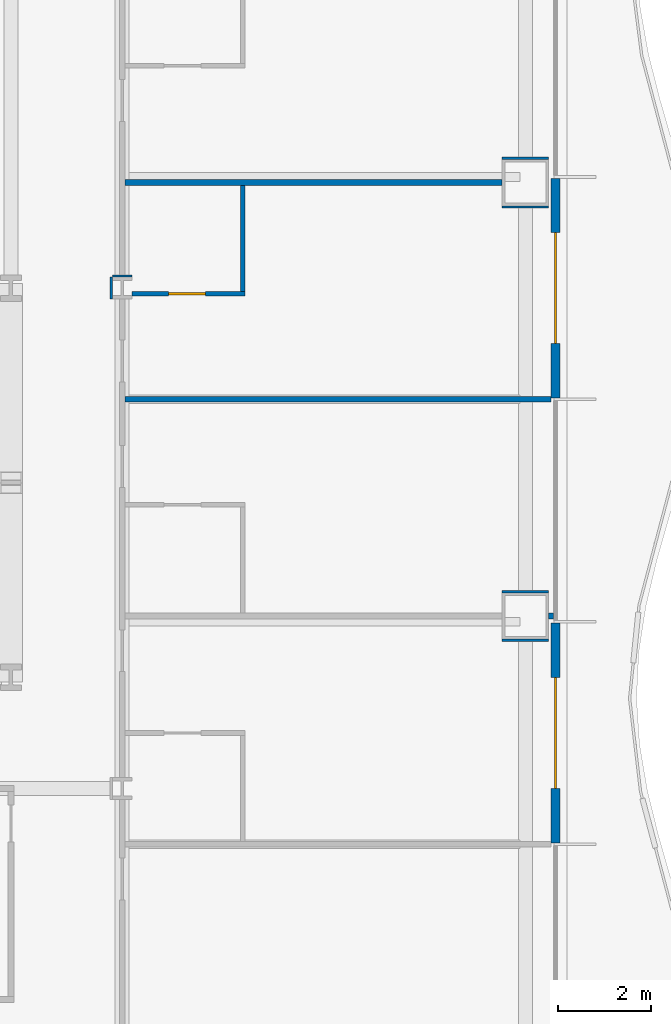
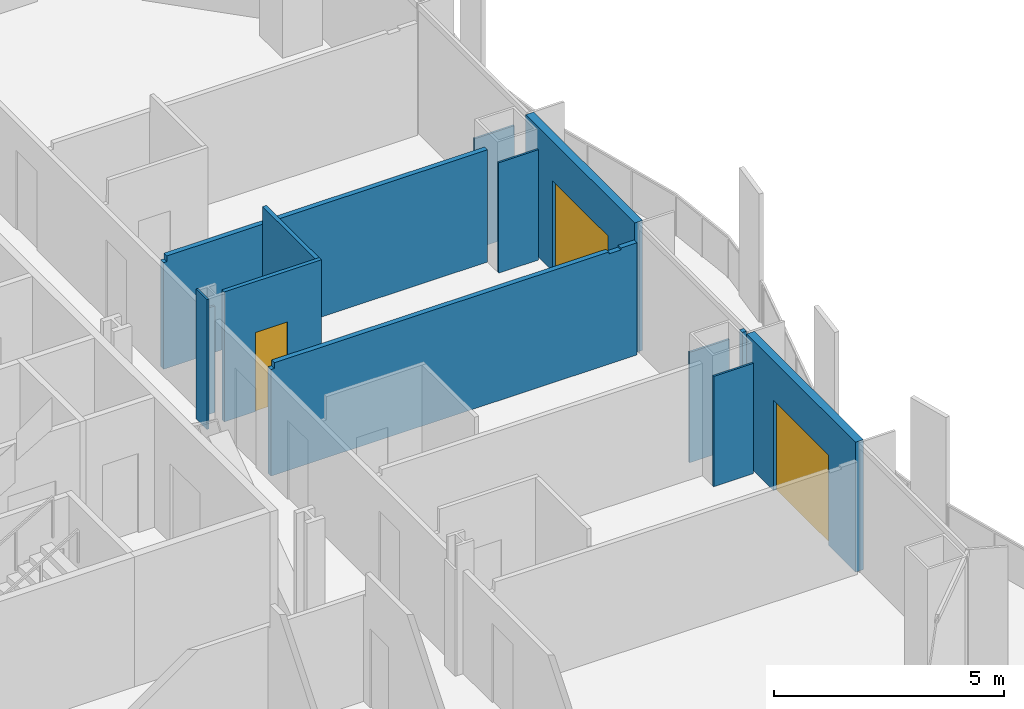
# One storey, part 11 of 21: 13 walls, 3 doors, 3 openings.
"""IFC4 building model written with IfcOpenShell, lengths in metres."""

from ifc_helpers import new_model, si_unit, direction, frame, frame_2d, origin, place, context, subcontext, project, spatial, polyline, rectangle, outline, extrude, material, layer, layer_set, type_object, element, fill, save


model = new_model("IFC4")

# Units and contexts
model_context = context("Model", 3, precision=1e-05, world=origin(), true_north=direction((0.0, 1.0)))
body_context = subcontext(model_context, "Body", "Model", "MODEL_VIEW")
ifc_project = project(units=[si_unit("LENGTHUNIT", "METRE"), si_unit("AREAUNIT", "SQUARE_METRE"), si_unit("VOLUMEUNIT", "CUBIC_METRE"), si_unit("PLANEANGLEUNIT", "RADIAN"), si_unit("MASSUNIT", "GRAM", prefix="KILO")], contexts=[model_context])

# Site, building, storey
site_placement = place(None, origin())
site = spatial("IfcSite", under=ifc_project, at=site_placement, CompositionType="ELEMENT")
building_placement = place(site_placement, origin())
building = spatial("IfcBuilding", under=site, at=building_placement, Name="Cairn Pilgrim Tower", CompositionType="ELEMENT")
storey_placement = place(building_placement, frame((0.0, 0.0, 43.800048828125)))
storey = spatial("IfcBuildingStorey", under=building, at=storey_placement, Name="L08", CompositionType="ELEMENT", Elevation=43.800048828125)

# Wall, opening, door
ifc_material_1 = material(Name="Bronze anodised aluminium insulated sandwich panel with mineral wool fill", Category="aluminium")
ifc_layer_1 = layer(ifc_material_1, 0.199951171875)
ifc_layer_set_1 = layer_set([ifc_layer_1], Name="BRONZE INFILL FRAME WALL 200")
wall_type_1 = type_object("IfcWallType", Name="BRONZE INFILL FRAME WALL 200", PredefinedType="NOTDEFINED", material=ifc_layer_set_1)
wall_1_placement = place(storey_placement, frame((28.550048828125, -9.570068359375, 0.0), z_axis=(0.0, 0.0, 1.0), x_axis=(0.0, 1.0, 0.0)))
wall_1 = element("IfcWall", 1, at=wall_1_placement, inside=storey, type_object=wall_type_1, Name="Bronze infill frame wall IW-E2", PredefinedType="NOTDEFINED", context=body_context, shape_type="SweptSolid", body=[
    extrude(rectangle(XDim=4.739990234375, YDim=0.199951171875, at=frame_2d((2.3701171875, 0.0))), origin(), (0.0, 0.0, 1.0), 3.449951171875),
])
opening_1_placement = place(wall_1_placement, frame((1.169921875, 0.0, 0.0)))
opening_1 = element("IfcOpeningElement", 2, at=opening_1_placement, cuts=wall_1, Name="Opening 0822B", PredefinedType="OPENING", context=body_context, shape_type="SweptSolid", body=[
    extrude(rectangle(XDim=2.39990234375, YDim=2.39990234375, at=frame_2d((1.199951171875, 1.199951171875))), frame((0.0, 0.10986328125, 0.0), z_axis=(0.0, -1.0, 0.0), x_axis=(1.0, 0.0, 0.0)), (0.0, 0.0, 1.0), 0.219970703125),
])
ifc_material_2 = material(Name="Bronze anodised aluminium frame with tinted low-E glass", Category="aluminium")
door_type_1 = type_object("IfcDoorType", Name="BALCONY SLIDING DOOR 2400x2400", OperationType="DOUBLE_DOOR_SLIDING", PredefinedType="DOOR", material=ifc_material_2)
door_1_placement = place(opening_1_placement, origin())
door_1 = element("IfcDoor", 3, at=door_1_placement, inside=storey, type_object=door_type_1, Name="Balcony sliding door 0822B", OperationType="SINGLE_SWING_LEFT", OverallHeight=2.39990234375, OverallWidth=2.39990234375, PredefinedType="DOOR", context=body_context, shape_type="SweptSolid", body=[
    extrude(rectangle(XDim=2.39990234375, YDim=2.39990234375, at=frame_2d((1.199951171875, 1.199951171875))), frame((0.0, 0.02490234375, 0.0), z_axis=(0.0, -1.0, 0.0), x_axis=(1.0, 0.0, 0.0)), (0.0, 0.0, 1.0), 0.050048828125),
])
fill(opening_1, door_1)

wall_2_placement = place(storey_placement, frame((28.550048828125, 0.030029296875, 0.0), z_axis=(0.0, 0.0, 1.0), x_axis=(0.0, 1.0, 0.0)))
wall_2 = element("IfcWall", 4, at=wall_2_placement, inside=storey, type_object=wall_type_1, Name="Bronze infill frame wall IW-E4", PredefinedType="NOTDEFINED", context=body_context, shape_type="SweptSolid", body=[
    extrude(rectangle(XDim=4.739990234375, YDim=0.199951171875, at=frame_2d((2.3701171875, 0.0))), origin(), (0.0, 0.0, 1.0), 3.449951171875),
])
opening_2_placement = place(wall_2_placement, frame((1.169921875, 0.0, 0.0)))
opening_2 = element("IfcOpeningElement", 5, at=opening_2_placement, cuts=wall_2, Name="Opening 0824B", PredefinedType="OPENING", context=body_context, shape_type="SweptSolid", body=[
    extrude(rectangle(XDim=2.39990234375, YDim=2.39990234375, at=frame_2d((1.199951171875, 1.199951171875))), frame((0.0, 0.10986328125, 0.0), z_axis=(0.0, -1.0, 0.0), x_axis=(1.0, 0.0, 0.0)), (0.0, 0.0, 1.0), 0.219970703125),
])
door_2_placement = place(opening_2_placement, origin())
door_2 = element("IfcDoor", 6, at=door_2_placement, inside=storey, type_object=door_type_1, Name="Balcony sliding door 0824B", OperationType="SINGLE_SWING_LEFT", OverallHeight=2.39990234375, OverallWidth=2.39990234375, PredefinedType="DOOR", context=body_context, shape_type="SweptSolid", body=[
    extrude(rectangle(XDim=2.39990234375, YDim=2.39990234375, at=frame_2d((1.199951171875, 1.199951171875))), frame((0.0, 0.02490234375, 0.0), z_axis=(0.0, -1.0, 0.0), x_axis=(1.0, 0.0, 0.0)), (0.0, 0.0, 1.0), 0.050048828125),
])
fill(opening_2, door_2)

ifc_material_3 = material(Name="Gypsum partition")
ifc_layer_2 = layer(ifc_material_3, 0.10009765625)
ifc_layer_set_2 = layer_set([ifc_layer_2], Name="PARTITION 100 DRYWALL")
wall_type_2 = type_object("IfcWallType", Name="PARTITION 100 DRYWALL", PredefinedType="PARTITIONING", material=ifc_layer_set_2)
wall_3_placement = place(storey_placement, frame((19.412109375, 2.27587890625, 0.0), z_axis=(0.0, 0.0, 1.0), x_axis=(1.0, 0.0, 0.0)))
wall_3 = element("IfcWall", 7, at=wall_3_placement, inside=storey, type_object=wall_type_2, Name="PARTITION W057", PredefinedType="PARTITIONING", context=body_context, shape_type="SweptSolid", body=[
    extrude(rectangle(XDim=2.43798828125, YDim=0.10009765625, at=frame_2d((1.218994140625, 0.0))), origin(), (0.0, 0.0, 1.0), 3.449951171875),
])
opening_3_placement = place(wall_3_placement, frame((0.7880859375, 0.0, 0.0)))
opening_3 = element("IfcOpeningElement", 8, at=opening_3_placement, cuts=wall_3, Name="Opening 0824E", PredefinedType="OPENING", context=body_context, shape_type="SweptSolid", body=[
    extrude(rectangle(XDim=0.800048828125, YDim=2.10009765625, at=frame_2d((0.39990234375, 1.050048828125))), frame((0.0, 0.06005859375, 0.0), z_axis=(0.0, -1.0, 0.0), x_axis=(1.0, 0.0, 0.0)), (0.0, 0.0, 1.0), 0.1201171875),
])
ifc_material_4 = material(Name="Timber door leaf", Category="wood")
door_type_2 = type_object("IfcDoorType", Name="DOOR 800x2100", OperationType="NOTDEFINED", PredefinedType="DOOR", material=ifc_material_4)
door_3_placement = place(opening_3_placement, origin())
door_3 = element("IfcDoor", 9, at=door_3_placement, inside=storey, type_object=door_type_2, Name="DOOR 0824E", OperationType="SINGLE_SWING_RIGHT", OverallHeight=2.10009765625, OverallWidth=0.800048828125, PredefinedType="DOOR", context=body_context, shape_type="SweptSolid", body=[
    extrude(rectangle(XDim=0.800048828125, YDim=2.10009765625, at=frame_2d((0.39990234375, 1.050048828125))), frame((0.0, 0.02490234375, 0.0), z_axis=(0.0, -1.0, 0.0), x_axis=(1.0, 0.0, 0.0)), (0.0, 0.0, 1.0), 0.050048828125),
])
fill(opening_3, door_3)

# Walls
wall_4_placement = place(storey_placement, frame((21.800048828125, 2.325927734375, 0.0), z_axis=(0.0, 0.0, 1.0), x_axis=(0.0, 1.0, 0.0)))
element("IfcWall", 10, at=wall_4_placement, inside=storey, type_object=wall_type_2, Name="PARTITION W058", PredefinedType="PARTITIONING", context=body_context, shape_type="SweptSolid", body=[
    extrude(rectangle(XDim=2.28759765625, YDim=0.10009765625, at=frame_2d((1.143798828125, 0.0))), origin(), (0.0, 0.0, 1.0), 3.449951171875),
])
ifc_layer_3 = layer(ifc_material_3, 0.125)
ifc_layer_set_3 = layer_set([ifc_layer_3], Name="PARTITION 125 DRYWALL EI 60")
wall_type_3 = type_object("IfcWallType", Name="PARTITION 125 DRYWALL EI 60", PredefinedType="PARTITIONING", material=ifc_layer_set_3)
wall_5_placement = place(storey_placement, frame((28.39990234375, -4.676025390625, 0.0), z_axis=(0.0, 0.0, 1.0), x_axis=(1.0, 0.0, 0.0)))
element("IfcWall", 11, at=wall_5_placement, inside=storey, type_object=wall_type_3, Name="PARTITION W050", PredefinedType="PARTITIONING", context=body_context, shape_type="SweptSolid", body=[
    extrude(rectangle(XDim=0.10302734375, YDim=0.125, at=frame_2d((0.051513671875, 0.0))), origin(), (0.0, 0.0, 1.0), 3.449951171875),
])
wall_6_placement = place(storey_placement, frame((19.262451171875, 0.0, 0.0), z_axis=(0.0, 0.0, 1.0), x_axis=(1.0, 0.0, 0.0)))
element("IfcWall", 12, at=wall_6_placement, inside=storey, type_object=wall_type_3, Name="PARTITION W056", PredefinedType="PARTITIONING", context=body_context, shape_type="SweptSolid", body=[
    extrude(outline(polyline([(0.0, 0.0), (9.1875, 0.0), (9.1875, 2.97998046875), (8.78759765625, 2.97998046875), (8.785400390625, 2.929931640625), (8.487548828125, 2.929931640625), (8.485595703125, 2.97998046875), (0.08740234375, 2.97998046875), (0.08544921875, 2.829833984375), (0.0, 2.829833984375), (0.0, 0.0)])), frame((0.0, 0.0625, 0.0), z_axis=(0.0, -1.0, 0.0), x_axis=(1.0, 0.0, 0.0)), (0.0, 0.0, 1.0), 0.125),
])
wall_7_placement = place(storey_placement, frame((19.262451171875, 4.676025390625, 0.0), z_axis=(0.0, 0.0, 1.0), x_axis=(1.0, 0.0, 0.0)))
element("IfcWall", 13, at=wall_7_placement, inside=storey, type_object=wall_type_3, Name="PARTITION W066", PredefinedType="PARTITIONING", context=body_context, shape_type="SweptSolid", body=[
    extrude(outline(polyline([(0.0, 0.0), (8.137451171875, 0.0), (8.137451171875, 2.97998046875), (0.08740234375, 2.97998046875), (0.08544921875, 2.829833984375), (0.0, 2.829833984375), (0.0, 0.0)])), frame((0.0, 0.0625, 0.0), z_axis=(0.0, -1.0, 0.0), x_axis=(1.0, 0.0, 0.0)), (0.0, 0.0, 1.0), 0.125),
])
ifc_layer_4 = layer(ifc_material_3, 0.050048828125)
ifc_layer_set_4 = layer_set([ifc_layer_4], Name="PARTITION 50 DRYWALL")
wall_type_4 = type_object("IfcWallType", Name="PARTITION 50 DRYWALL", PredefinedType="PARTITIONING", material=ifc_layer_set_4)
wall_8_placement = place(storey_placement, frame((18.988037109375, 2.662109375, 0.0), z_axis=(0.0, 0.0, 1.0), x_axis=(1.0, 0.0, 0.0)))
element("IfcWall", 14, at=wall_8_placement, inside=storey, type_object=wall_type_4, Name="COLUMN CASING WC23", PredefinedType="PARTITIONING", context=body_context, shape_type="SweptSolid", body=[
    extrude(rectangle(XDim=0.424072265625, YDim=0.050048828125, at=frame_2d((0.2119140625, 0.0))), origin(), (0.0, 0.0, 1.0), 2.829833984375),
])
ifc_layer_5 = layer(ifc_material_3, 0.050048828125)
ifc_layer_set_5 = layer_set([ifc_layer_5], Name="PARTITION 50 DRYWALL EI 60")
wall_type_5 = type_object("IfcWallType", Name="PARTITION 50 DRYWALL EI 60", PredefinedType="PARTITIONING", material=ifc_layer_set_5)
wall_9_placement = place(storey_placement, frame((18.962890625, 2.1630859375, 0.0), z_axis=(0.0, 0.0, 1.0), x_axis=(0.0, 1.0, 0.0)))
element("IfcWall", 15, at=wall_9_placement, inside=storey, type_object=wall_type_5, Name="COLUMN CASING WC10", PredefinedType="PARTITIONING", context=body_context, shape_type="SweptSolid", body=[
    extrude(rectangle(XDim=0.473876953125, YDim=0.050048828125, at=frame_2d((0.23681640625, 0.0))), origin(), (0.0, 0.0, 1.0), 3.449951171875),
])
for number, where, z_axis, x_axis, name in (
    (16, (27.39990234375, -4.150634765625, 0.0), (0.0, 0.0, 1.0), (1.0, 0.0, 0.0), "COLUMN CASING WC20"),
    (17, (27.39990234375, -5.20068359375, 0.0), (0.0, 0.0, 1.0), (1.0, 0.0, 0.0), "COLUMN CASING WC21"),
    (18, (27.39990234375, 5.20068359375, 0.0), (0.0, 0.0, 1.0), (1.0, 0.0, 0.0), "COLUMN CASING WC29"),
    (19, (27.39990234375, 4.150634765625, 0.0), (0.0, 0.0, 1.0), (1.0, 0.0, 0.0), "COLUMN CASING WC30"),
):
    element("IfcWall", number, at=place(storey_placement, frame(where, z_axis=z_axis, x_axis=x_axis)), inside=storey, type_object=wall_type_5, Name=name, PredefinedType="PARTITIONING", context=body_context, shape_type="SweptSolid", body=[
        extrude(rectangle(XDim=1.0, YDim=0.050048828125, at=frame_2d((0.5, 0.0))), origin(), (0.0, 0.0, 1.0), 2.929931640625),
    ])

save(model, "model.ifc")
